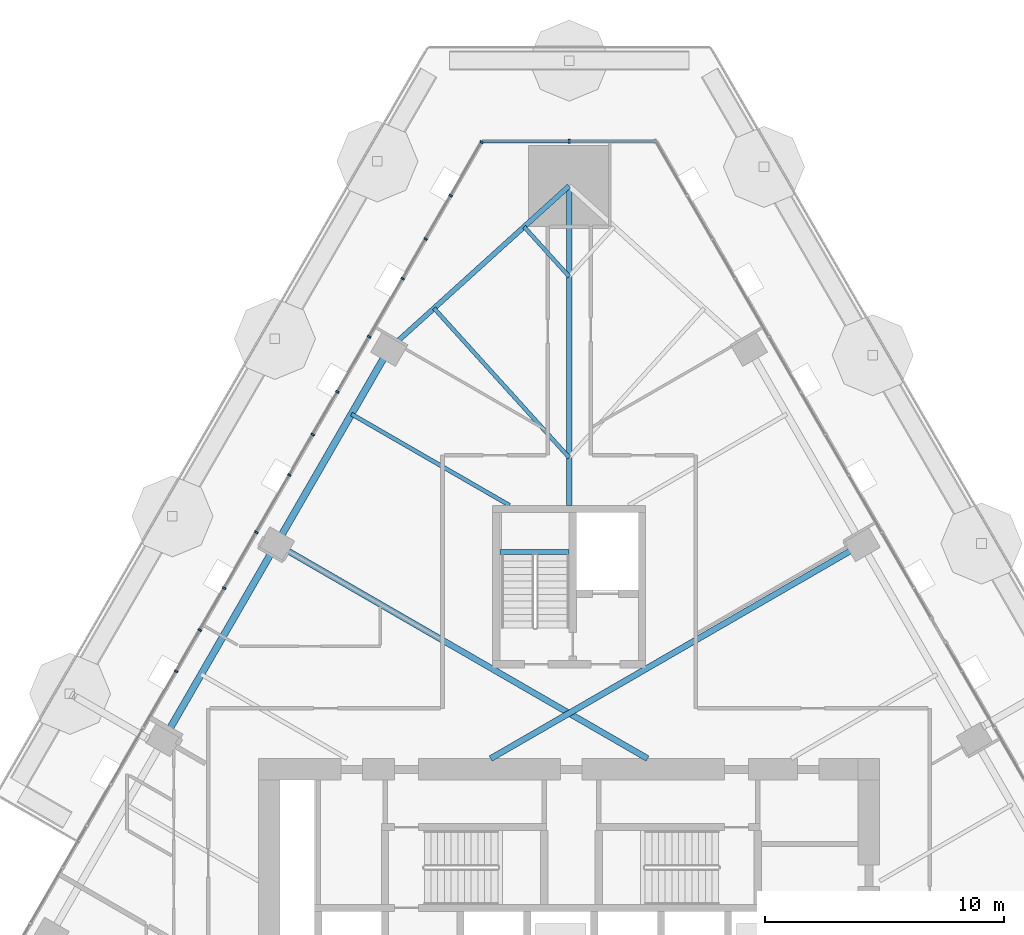
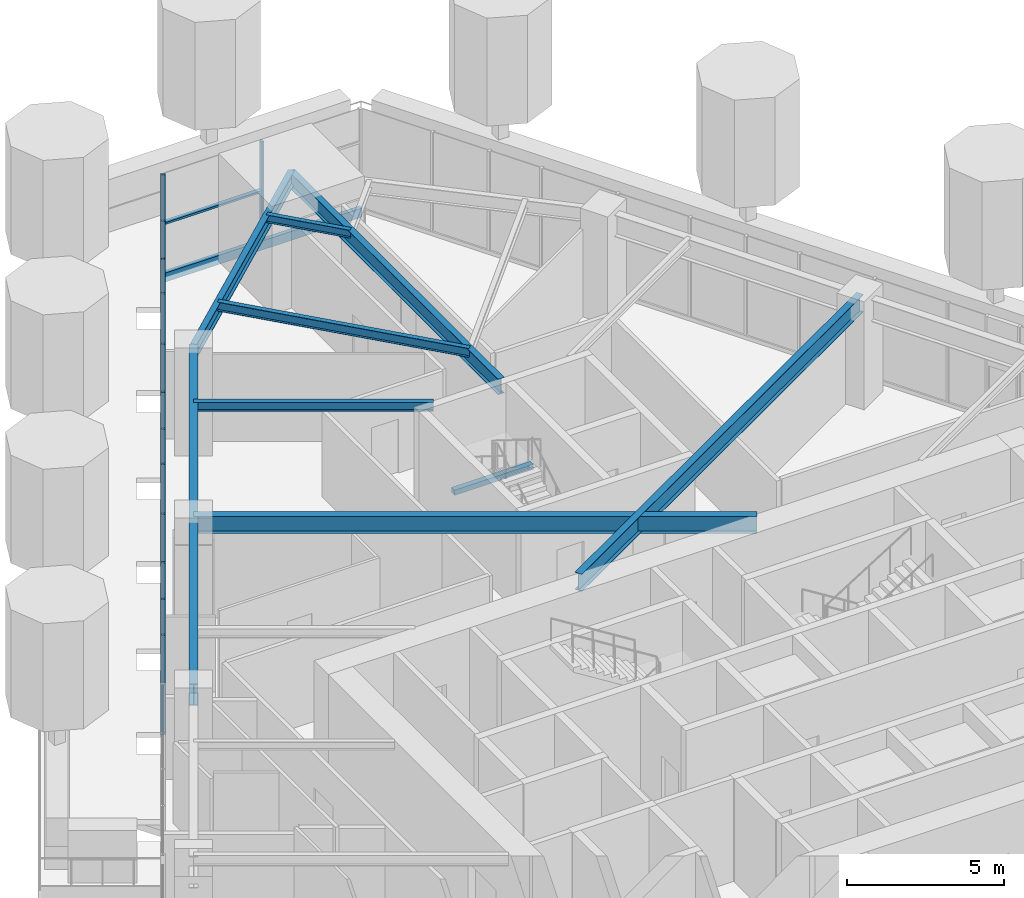
# One storey, part 9 of 25: 15 members, 9 beams, 2 elements without a shape of their own.
"""IFC4 building model written with IfcOpenShell, lengths in metres."""

from ifc_helpers import new_model, si_unit, direction, frame, origin, origin_2d, place, context, subcontext, project, spatial, rectangle, i_section, extrude, material, layer, layer_set, material_profile, profile_set, type_object, element, aggregate, save


model = new_model("IFC4")

# Units and contexts
model_context = context("Model", 3, precision=1e-05, world=origin(), true_north=direction((0.0, 1.0)))
body_context = subcontext(model_context, "Body", "Model", "MODEL_VIEW")
ifc_project = project(units=[si_unit("LENGTHUNIT", "METRE"), si_unit("AREAUNIT", "SQUARE_METRE"), si_unit("VOLUMEUNIT", "CUBIC_METRE"), si_unit("PLANEANGLEUNIT", "RADIAN"), si_unit("MASSUNIT", "GRAM", prefix="KILO")], contexts=[model_context])

# Site, building, storey
site_placement = place(None, origin())
site = spatial("IfcSite", under=ifc_project, at=site_placement, CompositionType="ELEMENT")
building_placement = place(site_placement, origin())
building = spatial("IfcBuilding", under=site, at=building_placement, Name="Firuza Gate Tower and Library", CompositionType="ELEMENT")
storey_placement = place(building_placement, frame((0.0, 0.0, 86.199951171875)))
storey = spatial("IfcBuildingStorey", under=building, at=storey_placement, Name="L19", CompositionType="ELEMENT", Elevation=86.199951171875)

# Curtain wall, member
ifc_material_1 = material(Name="Aluminium 6063-T6", Category="aluminium")
ifc_layer_1 = layer(ifc_material_1, 0.14990234375)
ifc_layer_set_1 = layer_set([ifc_layer_1], Name="Corner curtain wall, chamfers")
curtain_wall_type_1 = type_object("IfcCurtainWallType", Name="Corner curtain wall, chamfers", PredefinedType="NOTDEFINED", material=ifc_layer_set_1)
placement = place(storey_placement, origin())
curtain_wall_1 = element("IfcCurtainWall", 1, at=placement, inside=storey, type_object=curtain_wall_type_1, Name="CW4 L19 N corner", PredefinedType="NOTDEFINED")
ifc_material_2 = material(Name="Aluminium 6063-T6", Category="aluminium")
ifc_material_profile_1 = material_profile(ifc_material_2, rectangle(XDim=0.14990234375, YDim=0.080078125, at=origin_2d()))
ifc_profile_set_1 = profile_set([ifc_material_profile_1], Name="Aluminium 6063-T6")
member_type_1 = type_object("IfcMemberType", Name="Curtain wall mullion 80x150", PredefinedType="MULLION", material=ifc_profile_set_1)
member_1_placement = place(storey_placement, frame((75.0, 109.84130859375, 0.150146484375), z_axis=(0.0, 0.0, 1.0), x_axis=(0.0, -1.0, 0.0)))
member_1 = element("IfcMember", 2, at=member_1_placement, type_object=member_type_1, Name="Mullion", PredefinedType="MULLION", context=body_context, shape_type="SweptSolid", body=[
    extrude(rectangle(XDim=0.14990234375, YDim=0.080078125, at=origin_2d()), origin(), (0.0, 0.0, 1.0), 3.849853515625),
])

# Curtain wall, members
ifc_material_3 = material(Name="Aluminium 6063-T6", Category="aluminium")
ifc_layer_2 = layer(ifc_material_3, 0.14990234375)
ifc_layer_set_2 = layer_set([ifc_layer_2], Name="Unitised curtain wall, offices")
curtain_wall_type_2 = type_object("IfcCurtainWallType", Name="Unitised curtain wall, offices", PredefinedType="NOTDEFINED", material=ifc_layer_set_2)
curtain_wall_2 = element("IfcCurtainWall", 3, at=placement, inside=storey, type_object=curtain_wall_type_2, Name="CW1 L19 W face", PredefinedType="NOTDEFINED")
member_2_placement = place(storey_placement, frame((71.336669921875, 109.806640625, 0.150146484375), z_axis=(0.0, 0.0, 1.0), x_axis=(0.866025403784, -0.5, 0.0)))
member_2 = element("IfcMember", 4, at=member_2_placement, type_object=member_type_1, Name="Mullion", PredefinedType="MULLION", context=body_context, shape_type="SweptSolid", body=[
    extrude(rectangle(XDim=0.14990234375, YDim=0.080078125, at=origin_2d()), origin(), (0.0, 0.0, 1.0), 3.849853515625),
])
member_3_placement = place(storey_placement, frame((68.994140625, 105.7490234375, 0.150146484375), z_axis=(0.0, 0.0, 1.0), x_axis=(0.866025403784, -0.5, 0.0)))
member_3 = element("IfcMember", 5, at=member_3_placement, type_object=member_type_1, Name="Mullion", PredefinedType="MULLION", context=body_context, shape_type="SweptSolid", body=[
    extrude(rectangle(XDim=0.14990234375, YDim=0.080078125, at=origin_2d()), origin(), (0.0, 0.0, 1.0), 3.849853515625),
])
member_4_placement = place(storey_placement, frame((66.63134765625, 101.65673828125, 0.150146484375), z_axis=(0.0, 0.0, 1.0), x_axis=(0.866025403784, -0.5, 0.0)))
member_4 = element("IfcMember", 6, at=member_4_placement, type_object=member_type_1, Name="Mullion", PredefinedType="MULLION", context=body_context, shape_type="SweptSolid", body=[
    extrude(rectangle(XDim=0.14990234375, YDim=0.080078125, at=origin_2d()), origin(), (0.0, 0.0, 1.0), 3.849853515625),
])
member_5_placement = place(storey_placement, frame((64.268798828125, 97.564453125, 0.150146484375), z_axis=(0.0, 0.0, 1.0), x_axis=(0.866025403784, -0.5, 0.0)))
member_5 = element("IfcMember", 7, at=member_5_placement, type_object=member_type_1, Name="Mullion", PredefinedType="MULLION", context=body_context, shape_type="SweptSolid", body=[
    extrude(rectangle(XDim=0.14990234375, YDim=0.080078125, at=origin_2d()), origin(), (0.0, 0.0, 1.0), 3.849853515625),
])
member_6_placement = place(storey_placement, frame((61.906005859375, 93.472412109375, 0.150146484375), z_axis=(0.0, 0.0, 1.0), x_axis=(0.866025403784, -0.5, 0.0)))
member_6 = element("IfcMember", 8, at=member_6_placement, type_object=member_type_1, Name="Mullion", PredefinedType="MULLION", context=body_context, shape_type="SweptSolid", body=[
    extrude(rectangle(XDim=0.14990234375, YDim=0.080078125, at=origin_2d()), origin(), (0.0, 0.0, 1.0), 3.849853515625),
])
member_7_placement = place(storey_placement, frame((59.54345703125, 89.380126953125, 0.150146484375), z_axis=(0.0, 0.0, 1.0), x_axis=(0.866025403784, -0.5, 0.0)))
member_7 = element("IfcMember", 9, at=member_7_placement, type_object=member_type_1, Name="Mullion", PredefinedType="MULLION", context=body_context, shape_type="SweptSolid", body=[
    extrude(rectangle(XDim=0.14990234375, YDim=0.080078125, at=origin_2d()), origin(), (0.0, 0.0, 1.0), 3.849853515625),
])
member_8_placement = place(storey_placement, frame((70.0419921875, 107.564208984375, 0.150146484375), z_axis=(0.0, 0.0, 1.0), x_axis=(0.866025403784, -0.5, 0.0)))
member_8 = element("IfcMember", 10, at=member_8_placement, type_object=member_type_1, Name="Mullion", PredefinedType="MULLION", context=body_context, shape_type="SweptSolid", body=[
    extrude(rectangle(XDim=0.14990234375, YDim=0.080078125, at=origin_2d()), origin(), (0.0, 0.0, 1.0), 3.849853515625),
])
member_9_placement = place(storey_placement, frame((68.032958984375, 104.084228515625, 0.150146484375), z_axis=(0.0, 0.0, 1.0), x_axis=(0.866025403784, -0.5, 0.0)))
member_9 = element("IfcMember", 11, at=member_9_placement, type_object=member_type_1, Name="Mullion", PredefinedType="MULLION", context=body_context, shape_type="SweptSolid", body=[
    extrude(rectangle(XDim=0.14990234375, YDim=0.080078125, at=origin_2d()), origin(), (0.0, 0.0, 1.0), 3.849853515625),
])
member_10_placement = place(storey_placement, frame((65.29931640625, 99.349609375, 0.150146484375), z_axis=(0.0, 0.0, 1.0), x_axis=(0.866025403784, -0.5, 0.0)))
member_10 = element("IfcMember", 12, at=member_10_placement, type_object=member_type_1, Name="Mullion", PredefinedType="MULLION", context=body_context, shape_type="SweptSolid", body=[
    extrude(rectangle(XDim=0.14990234375, YDim=0.080078125, at=origin_2d()), origin(), (0.0, 0.0, 1.0), 3.849853515625),
])
member_11_placement = place(storey_placement, frame((63.290283203125, 95.86962890625, 0.150146484375), z_axis=(0.0, 0.0, 1.0), x_axis=(0.866025403784, -0.5, 0.0)))
member_11 = element("IfcMember", 13, at=member_11_placement, type_object=member_type_1, Name="Mullion", PredefinedType="MULLION", context=body_context, shape_type="SweptSolid", body=[
    extrude(rectangle(XDim=0.14990234375, YDim=0.080078125, at=origin_2d()), origin(), (0.0, 0.0, 1.0), 3.849853515625),
])
member_12_placement = place(storey_placement, frame((60.556640625, 91.135009765625, 0.150146484375), z_axis=(0.0, 0.0, 1.0), x_axis=(0.866025403784, -0.5, 0.0)))
member_12 = element("IfcMember", 14, at=member_12_placement, type_object=member_type_1, Name="Mullion", PredefinedType="MULLION", context=body_context, shape_type="SweptSolid", body=[
    extrude(rectangle(XDim=0.14990234375, YDim=0.080078125, at=origin_2d()), origin(), (0.0, 0.0, 1.0), 3.849853515625),
])
member_13_placement = place(storey_placement, frame((58.547607421875, 87.6552734375, 0.150146484375), z_axis=(0.0, 0.0, 1.0), x_axis=(0.866025403784, -0.5, 0.0)))
member_13 = element("IfcMember", 15, at=member_13_placement, type_object=member_type_1, Name="Mullion", PredefinedType="MULLION", context=body_context, shape_type="SweptSolid", body=[
    extrude(rectangle(XDim=0.14990234375, YDim=0.080078125, at=origin_2d()), origin(), (0.0, 0.0, 1.0), 3.849853515625),
])
aggregate(curtain_wall_2, [member_2, member_3, member_4, member_5, member_6, member_7, member_8, member_9, member_10, member_11, member_12, member_13])

# Member
ifc_material_4 = material(Name="Aluminium 6063-T6", Category="aluminium")
ifc_material_profile_2 = material_profile(ifc_material_4, rectangle(XDim=0.14990234375, YDim=0.35009765625, at=origin_2d()))
ifc_profile_set_2 = profile_set([ifc_material_profile_2], Name="Aluminium 6063-T6")
member_type_2 = type_object("IfcMemberType", Name="Curtain wall transom 350x150", PredefinedType="USERDEFINED", material=ifc_profile_set_2)
member_14_placement = place(storey_placement, frame((78.643310546875, 109.84130859375, -0.02490234375), z_axis=(-1.0, 0.0, 0.0), x_axis=(0.0, -1.0, 0.0)))
member_14 = element("IfcMember", 16, at=member_14_placement, type_object=member_type_2, Name="Transom", ObjectType="TRANSOM", PredefinedType="USERDEFINED", context=body_context, shape_type="SweptSolid", body=[
    extrude(rectangle(XDim=0.14990234375, YDim=0.35009765625, at=origin_2d()), origin(), (0.0, 0.0, 1.0), 7.28662109375),
])

ifc_material_5 = material(Name="Aluminium 6063-T6", Category="aluminium")
ifc_material_profile_3 = material_profile(ifc_material_5, rectangle(XDim=0.14990234375, YDim=0.080078125, at=origin_2d()))
ifc_profile_set_3 = profile_set([ifc_material_profile_3], Name="Aluminium 6063-T6")
member_type_3 = type_object("IfcMemberType", Name="Curtain wall transom 80x150", PredefinedType="USERDEFINED", material=ifc_profile_set_3)
member_15_placement = place(storey_placement, frame((74.9599609375, 109.84130859375, 2.074951171875), z_axis=(-1.0, 0.0, 0.0), x_axis=(0.0, -1.0, 0.0)))
member_15 = element("IfcMember", 17, at=member_15_placement, type_object=member_type_3, Name="Transom", ObjectType="TRANSOM", PredefinedType="USERDEFINED", context=body_context, shape_type="SweptSolid", body=[
    extrude(rectangle(XDim=0.14990234375, YDim=0.080078125, at=origin_2d()), origin(), (0.0, 0.0, 1.0), 3.563232421875),
])

aggregate(curtain_wall_1, [member_1, member_14, member_15])

# Beams
ifc_material_6 = material(Name="Concrete C35/45", Category="concrete")
ifc_material_profile_4 = material_profile(ifc_material_6, rectangle(XDim=0.199951171875, YDim=0.199951171875, at=origin_2d()))
ifc_profile_set_4 = profile_set([ifc_material_profile_4], Name="Concrete C35/45")
beam_type_1 = type_object("IfcBeamType", Name="Stair landing bearer 200x200", PredefinedType="BEAM", material=ifc_profile_set_4)
beam_1_placement = place(storey_placement, frame((75.0, 92.64990234375, 1.800048828125), z_axis=(-1.0, 0.0, 0.0), x_axis=(0.0, -1.0, 0.0)))
element("IfcBeam", 18, at=beam_1_placement, inside=storey, type_object=beam_type_1, Name="Landing bearer L19 stair 3", PredefinedType="BEAM", context=body_context, shape_type="SweptSolid", body=[
    extrude(rectangle(XDim=0.199951171875, YDim=0.199951171875, at=origin_2d()), origin(), (0.0, 0.0, 1.0), 2.89990234375),
])
ifc_material_7 = material(Name="Steel S355", Category="steel")
ifc_material_profile_5 = material_profile(ifc_material_7, i_section(OverallWidth=0.1650390625, OverallDepth=0.31005859375, WebThickness=0.005859375, FlangeThickness=0.009765625, at=origin_2d()))
ifc_profile_set_5 = profile_set([ifc_material_profile_5], Name="Steel S355")
beam_type_2 = type_object("IfcBeamType", Name="W310x39 Floor beam", PredefinedType="JOIST", material=ifc_profile_set_5)
beam_2_placement = place(storey_placement, frame((73.115234375, 106.2607421875, 3.844970703125), z_axis=(0.670983871645, -0.741471944171, 0.0), x_axis=(0.741471944171, 0.670983871645, 0.0)))
element("IfcBeam", 19, at=beam_2_placement, inside=storey, type_object=beam_type_2, Name="Floor beam L19 s70", PredefinedType="JOIST", context=body_context, shape_type="SweptSolid", body=[
    extrude(i_section(OverallWidth=0.1650390625, OverallDepth=0.31005859375, WebThickness=0.005859375, FlangeThickness=0.009765625, at=origin_2d()), origin(), (0.0, 0.0, 1.0), 2.808837890625),
])
ifc_material_8 = material(Name="Steel S355", Category="steel")
ifc_material_profile_6 = material_profile(ifc_material_8, i_section(OverallWidth=0.1708984375, OverallDepth=0.35498046875, WebThickness=0.007080078125, FlangeThickness=0.01171875, at=origin_2d()))
ifc_profile_set_6 = profile_set([ifc_material_profile_6], Name="Steel S355")
beam_type_3 = type_object("IfcBeamType", Name="W360x51 Floor beam", PredefinedType="JOIST", material=ifc_profile_set_6)
beam_3_placement = place(storey_placement, frame((69.345947265625, 102.849853515625, 3.822509765625), z_axis=(0.670982357379, -0.74147331448, 0.0), x_axis=(0.74147331448, 0.670982357379, 0.0)))
element("IfcBeam", 20, at=beam_3_placement, inside=storey, type_object=beam_type_3, Name="Floor beam L19 s71", PredefinedType="JOIST", context=body_context, shape_type="SweptSolid", body=[
    extrude(i_section(OverallWidth=0.1708984375, OverallDepth=0.35498046875, WebThickness=0.007080078125, FlangeThickness=0.01171875, at=origin_2d()), origin(), (0.0, 0.0, 1.0), 8.426513671875),
])
beam_4_placement = place(storey_placement, frame((65.888671875, 98.42041015625, 3.822509765625), z_axis=(0.866024357025, -0.500001813036, 0.0), x_axis=(0.500001813036, 0.866024357025, 0.0)))
element("IfcBeam", 21, at=beam_4_placement, inside=storey, type_object=beam_type_3, Name="Floor beam L19 s80", PredefinedType="JOIST", context=body_context, shape_type="SweptSolid", body=[
    extrude(i_section(OverallWidth=0.1708984375, OverallDepth=0.35498046875, WebThickness=0.007080078125, FlangeThickness=0.01171875, at=origin_2d()), origin(), (0.0, 0.0, 1.0), 7.640625),
])
ifc_material_9 = material(Name="Steel S355", Category="steel")
ifc_material_profile_7 = material_profile(ifc_material_9, i_section(OverallWidth=0.212890625, OverallDepth=0.5390625, WebThickness=0.01171875, FlangeThickness=0.018798828125, at=origin_2d()))
ifc_profile_set_7 = profile_set([ifc_material_profile_7], Name="Steel S355")
beam_type_4 = type_object("IfcBeamType", Name="W530x109 Edge beam", PredefinedType="SPANDREL", material=ifc_profile_set_7)
beam_5_placement = place(storey_placement, frame((75.0, 107.96630859375, 3.73046875), z_axis=(-0.741466940551, -0.670989400862, 0.0), x_axis=(0.670989400862, -0.741466940551, 0.0)))
element("IfcBeam", 22, at=beam_5_placement, inside=storey, type_object=beam_type_4, Name="Edge beam L19 e70", PredefinedType="SPANDREL", context=body_context, shape_type="SweptSolid", body=[
    extrude(i_section(OverallWidth=0.212890625, OverallDepth=0.5390625, WebThickness=0.01171875, FlangeThickness=0.018798828125, at=origin_2d()), origin(), (0.0, 0.0, 1.0), 10.1669921875),
])
ifc_material_10 = material(Name="Steel S355", Category="steel")
ifc_material_profile_8 = material_profile(ifc_material_10, i_section(OverallWidth=0.22802734375, OverallDepth=0.60302734375, WebThickness=0.010498046875, FlangeThickness=0.014892578125, at=origin_2d()))
ifc_profile_set_8 = profile_set([ifc_material_profile_8], Name="Steel S355")
beam_type_5 = type_object("IfcBeamType", Name="W610x101 Girder", PredefinedType="BEAM", material=ifc_profile_set_8)
beam_6_placement = place(storey_placement, frame((75.0, 107.96630859375, 3.698486328125), z_axis=(0.0, -1.0, 0.0), x_axis=(1.0, 0.0, 0.0)))
element("IfcBeam", 23, at=beam_6_placement, inside=storey, type_object=beam_type_5, Name="Girder L19 gN", PredefinedType="BEAM", context=body_context, shape_type="SweptSolid", body=[
    extrude(i_section(OverallWidth=0.22802734375, OverallDepth=0.60302734375, WebThickness=0.010498046875, FlangeThickness=0.014892578125, at=origin_2d()), origin(), (0.0, 0.0, 1.0), 13.3662109375),
])
ifc_material_11 = material(Name="Steel S355", Category="steel")
ifc_material_profile_9 = material_profile(ifc_material_11, i_section(OverallWidth=0.2529296875, OverallDepth=0.677978515625, WebThickness=0.01171875, FlangeThickness=0.016357421875, at=origin_2d()))
ifc_profile_set_9 = profile_set([ifc_material_profile_9], Name="Steel S355")
beam_type_6 = type_object("IfcBeamType", Name="W690x125 Floor beam", PredefinedType="JOIST", material=ifc_profile_set_9)
for number, where, z_axis, x_axis, name in (
    (24, (87.2568359375, 92.972412109375, 3.6611328125), (-0.866026766904, -0.499997638999, 0.0), (0.499997638999, -0.866026766904, 0.0), "Floor beam L19 s54"),
    (25, (62.7431640625, 92.972412109375, 3.6611328125), (0.866026766904, -0.499997638999, 0.0), (0.499997638999, 0.866026766904, 0.0), "Floor beam L19 s81"),
):
    element("IfcBeam", number, at=place(storey_placement, frame(where, z_axis=z_axis, x_axis=x_axis)), inside=storey, type_object=beam_type_6, Name=name, PredefinedType="JOIST", context=body_context, shape_type="SweptSolid", body=[
        extrude(i_section(OverallWidth=0.2529296875, OverallDepth=0.677978515625, WebThickness=0.01171875, FlangeThickness=0.016357421875, at=origin_2d()), origin(), (0.0, 0.0, 1.0), 17.94482421875),
    ])
ifc_material_12 = material(Name="Steel S355", Category="steel")
ifc_material_profile_10 = material_profile(ifc_material_12, i_section(OverallWidth=0.2919921875, OverallDepth=0.8349609375, WebThickness=0.013916015625, FlangeThickness=0.018798828125, at=origin_2d()))
ifc_profile_set_10 = profile_set([ifc_material_profile_10], Name="Steel S355")
beam_type_7 = type_object("IfcBeamType", Name="W840x176 Edge beam", PredefinedType="SPANDREL", material=ifc_profile_set_10)
beam_7_placement = place(storey_placement, frame((67.46142578125, 101.144287109375, 3.58251953125), z_axis=(-0.500002777067, -0.866023800438, 0.0), x_axis=(0.866023800438, -0.500002777067, 0.0)))
element("IfcBeam", 26, at=beam_7_placement, inside=storey, type_object=beam_type_7, Name="Edge beam L19 e80", PredefinedType="SPANDREL", context=body_context, shape_type="SweptSolid", body=[
    extrude(i_section(OverallWidth=0.2919921875, OverallDepth=0.8349609375, WebThickness=0.013916015625, FlangeThickness=0.018798828125, at=origin_2d()), origin(), (0.0, 0.0, 1.0), 18.87255859375),
])

save(model, "model.ifc")
